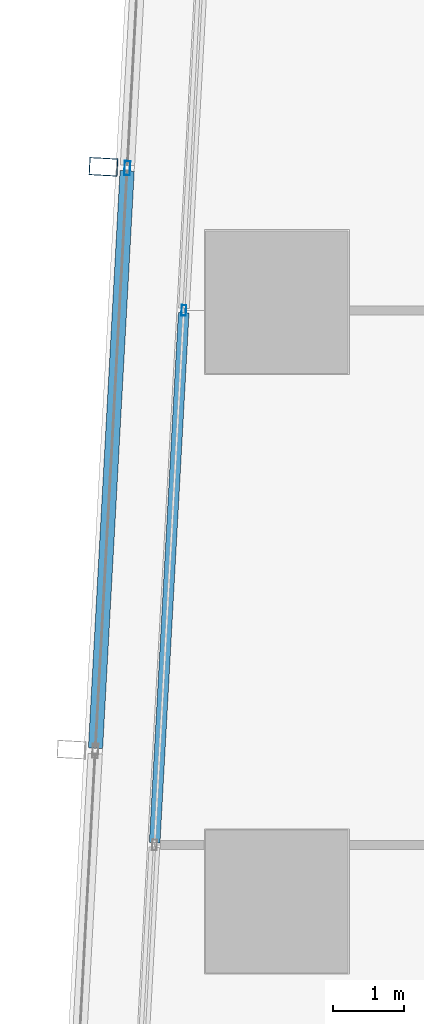
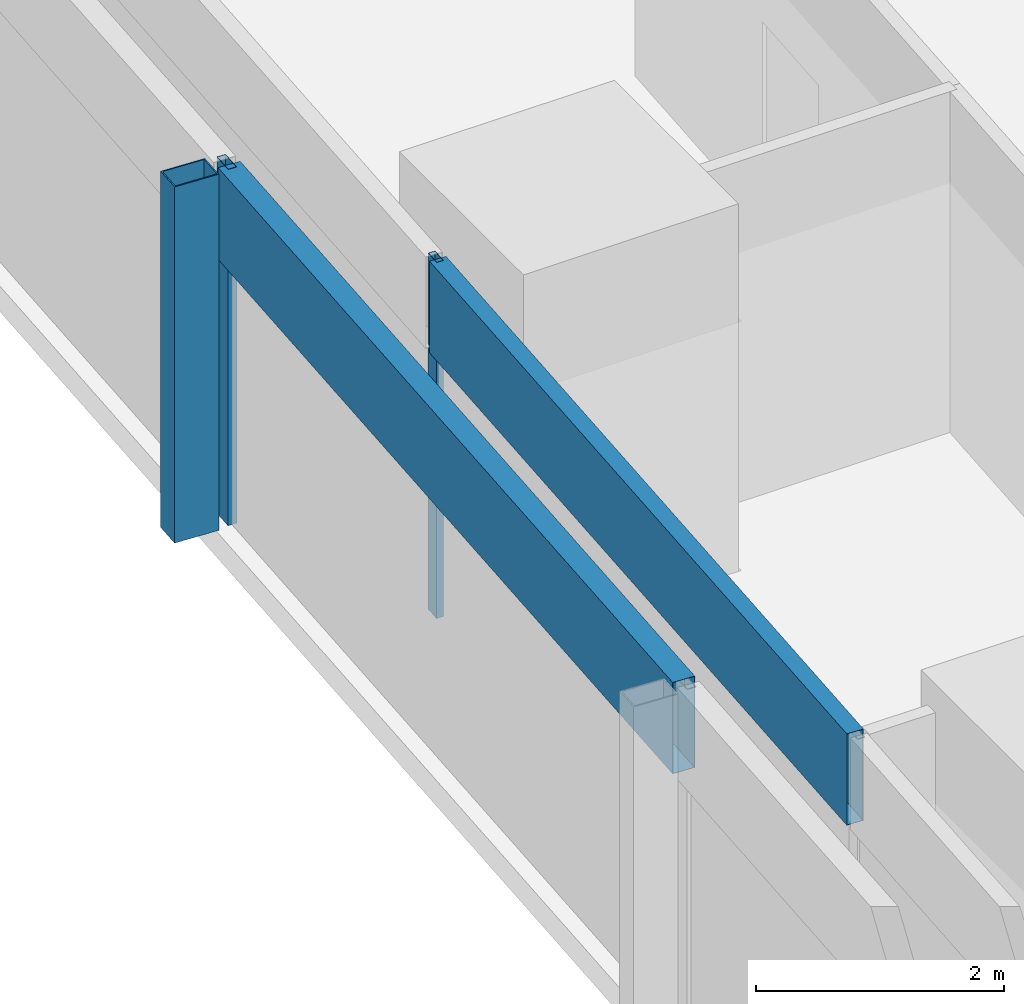
# One storey, part 14 of 39: 5 members, 2 elements without a shape of their own.
"""IFC4 building model written with IfcOpenShell, lengths in metres."""

from ifc_helpers import new_model, si_unit, direction, frame, origin, origin_2d, place, context, subcontext, project, spatial, hollow_rectangle, extrude, material, material_profile, profile_set, type_object, element, aggregate, save


model = new_model("IFC4")

# Units and contexts
model_context = context("Model", 3, precision=1e-05, world=origin(), true_north=direction((0.0, 1.0)))
body_context = subcontext(model_context, "Body", "Model", "MODEL_VIEW")
ifc_project = project(units=[si_unit("LENGTHUNIT", "METRE"), si_unit("AREAUNIT", "SQUARE_METRE"), si_unit("VOLUMEUNIT", "CUBIC_METRE"), si_unit("PLANEANGLEUNIT", "RADIAN"), si_unit("MASSUNIT", "GRAM", prefix="KILO")], contexts=[model_context])

# Site, building, storey
site_placement = place(None, origin())
site = spatial("IfcSite", under=ifc_project, at=site_placement, CompositionType="ELEMENT")
building_placement = place(site_placement, origin())
building = spatial("IfcBuilding", under=site, at=building_placement, Name="Rekha Terrace Tower", CompositionType="ELEMENT")
storey_placement = place(building_placement, frame((0.0, 0.0, 151.550048828125)))
storey = spatial("IfcBuildingStorey", under=building, at=storey_placement, Name="L38", CompositionType="ELEMENT", Elevation=151.550048828125)

# Curtain wall, member
ifc_material_1 = material(Name="Aluminium framing", Category="aluminium")
curtain_wall_type_1 = type_object("IfcCurtainWallType", Name="CW2 double skin outer glazing", PredefinedType="USERDEFINED", material=ifc_material_1)
curtain_wall_1_placement = place(storey_placement, origin())
curtain_wall_1 = element("IfcCurtainWall", 1, at=curtain_wall_1_placement, inside=storey, type_object=curtain_wall_type_1, Name="CW2 double skin outer glazing", ObjectType="DOUBLE SKIN OUTER GLAZING", PredefinedType="USERDEFINED")
ifc_material_2 = material(Name="Steel S355 with fluorocarbon finish", Category="steel")
ifc_material_profile_1 = material_profile(ifc_material_2, hollow_rectangle(XDim=0.25, YDim=0.39990234375, WallThickness=0.012451171875, at=origin_2d()), Name="RHS400x250x12.5")
ifc_profile_set_1 = profile_set([ifc_material_profile_1], Name="Steel S355 with fluorocarbon finish")
member_type_1 = type_object("IfcMemberType", Name="BL1 facade blade RHS 400 x 250", PredefinedType="USERDEFINED", material=ifc_profile_set_1)
member_1_placement = place(storey_placement, frame((5.969482421875, 52.29638671875, 0.0), z_axis=(0.0, 0.0, 1.0), x_axis=(-0.054742798353, -0.998500488747, 0.0)))
member_1 = element("IfcMember", 2, at=member_1_placement, type_object=member_type_1, Name="Facade blade", ObjectType="FACADE BLADE", PredefinedType="USERDEFINED", context=body_context, shape_type="SweptSolid", body=[
    extrude(hollow_rectangle(XDim=0.25, YDim=0.39990234375, WallThickness=0.012451171875, at=origin_2d()), origin(), (0.0, 0.0, 1.0), 3.5),
])

# Curtain wall, members
curtain_wall_type_2 = type_object("IfcCurtainWallType", Name="CW1 double skin inner glazing", PredefinedType="USERDEFINED", material=ifc_material_1)
curtain_wall_2_placement = place(storey_placement, origin())
curtain_wall_2 = element("IfcCurtainWall", 3, at=curtain_wall_2_placement, inside=storey, type_object=curtain_wall_type_2, Name="CW1 double skin inner glazing", ObjectType="DOUBLE SKIN INNER GLAZING", PredefinedType="USERDEFINED")
ifc_material_3 = material(Name="Aluminium mullion section", Category="aluminium")
ifc_material_profile_2 = material_profile(ifc_material_3, hollow_rectangle(XDim=0.06494140625, YDim=0.14990234375, WallThickness=0.00390625, at=origin_2d()), Name="AL RHS 65x150")
ifc_profile_set_2 = profile_set([ifc_material_profile_2], Name="Aluminium mullion section")
member_type_2 = type_object("IfcMemberType", Name="CW1 mullion RHS 65 x 150", PredefinedType="MULLION", material=ifc_profile_set_2)
member_2_placement = place(storey_placement, frame((7.095947265625, 50.284423828125, 0.0), z_axis=(0.0, 0.0, 1.0), x_axis=(0.99850051318, -0.054742352707, 0.0)))
member_2 = element("IfcMember", 4, at=member_2_placement, type_object=member_type_2, Name="CW1 mullion 2", PredefinedType="MULLION", context=body_context, shape_type="SweptSolid", body=[
    extrude(hollow_rectangle(XDim=0.06494140625, YDim=0.14990234375, WallThickness=0.00390625, at=origin_2d()), origin(), (0.0, 0.0, 1.0), 3.5),
])
ifc_material_4 = material(Name="Insulated aluminium spandrel box", Category="aluminium")
ifc_material_profile_3 = material_profile(ifc_material_4, hollow_rectangle(XDim=0.14990234375, YDim=0.89990234375, WallThickness=0.0029296875, at=origin_2d()), Name="AL SPANDREL BOX 150x900")
ifc_profile_set_3 = profile_set([ifc_material_profile_3], Name="Insulated aluminium spandrel box")
member_type_3 = type_object("IfcMemberType", Name="CW1 spandrel transom 150 x 900", PredefinedType="USERDEFINED", material=ifc_profile_set_3)
member_3_placement = place(storey_placement, frame((7.09423828125, 50.251953125, 3.050048828125), z_axis=(-0.05472814014, -0.998501292276, 0.0), x_axis=(0.998501292276, -0.05472814014, 0.0)))
member_3 = element("IfcMember", 5, at=member_3_placement, type_object=member_type_3, Name="CW1 spandrel transom 2", ObjectType="TRANSOM", PredefinedType="USERDEFINED", context=body_context, shape_type="SweptSolid", body=[
    extrude(hollow_rectangle(XDim=0.14990234375, YDim=0.89990234375, WallThickness=0.0029296875, at=origin_2d()), origin(), (0.0, 0.0, 1.0), 7.4365234375),
])
aggregate(curtain_wall_2, [member_2, member_3])

# Member
ifc_material_profile_4 = material_profile(ifc_material_3, hollow_rectangle(XDim=0.080078125, YDim=0.199951171875, WallThickness=0.00390625, at=origin_2d()), Name="AL RHS 80x200")
ifc_profile_set_4 = profile_set([ifc_material_profile_4], Name="Aluminium mullion section")
member_type_4 = type_object("IfcMemberType", Name="CW2 mullion RHS 80 x 200", PredefinedType="MULLION", material=ifc_profile_set_4)
member_4_placement = place(storey_placement, frame((6.303955078125, 52.278076171875, 0.0), z_axis=(0.0, 0.0, 1.0), x_axis=(0.99850051318, -0.054742352707, 0.0)))
member_4 = element("IfcMember", 6, at=member_4_placement, type_object=member_type_4, Name="CW2 mullion 2", PredefinedType="MULLION", context=body_context, shape_type="SweptSolid", body=[
    extrude(hollow_rectangle(XDim=0.080078125, YDim=0.199951171875, WallThickness=0.00390625, at=origin_2d()), origin(), (0.0, 0.0, 1.0), 3.5),
])

ifc_material_profile_5 = material_profile(ifc_material_4, hollow_rectangle(XDim=0.199951171875, YDim=0.89990234375, WallThickness=0.0029296875, at=origin_2d()), Name="AL SPANDREL BOX 200x900")
ifc_profile_set_5 = profile_set([ifc_material_profile_5], Name="Insulated aluminium spandrel box")
member_type_5 = type_object("IfcMemberType", Name="CW2 spandrel transom 200 x 900", PredefinedType="USERDEFINED", material=ifc_profile_set_5)
member_5_placement = place(storey_placement, frame((6.3017578125, 52.23828125, 3.050048828125), z_axis=(-0.054735499102, -0.998500888902, 0.0), x_axis=(0.998500888902, -0.054735499102, 0.0)))
member_5 = element("IfcMember", 7, at=member_5_placement, type_object=member_type_5, Name="CW2 spandrel transom 2", ObjectType="TRANSOM", PredefinedType="USERDEFINED", context=body_context, shape_type="SweptSolid", body=[
    extrude(hollow_rectangle(XDim=0.199951171875, YDim=0.89990234375, WallThickness=0.0029296875, at=origin_2d()), origin(), (0.0, 0.0, 1.0), 8.10009765625),
])

aggregate(curtain_wall_1, [member_4, member_5, member_1])

save(model, "model.ifc")
